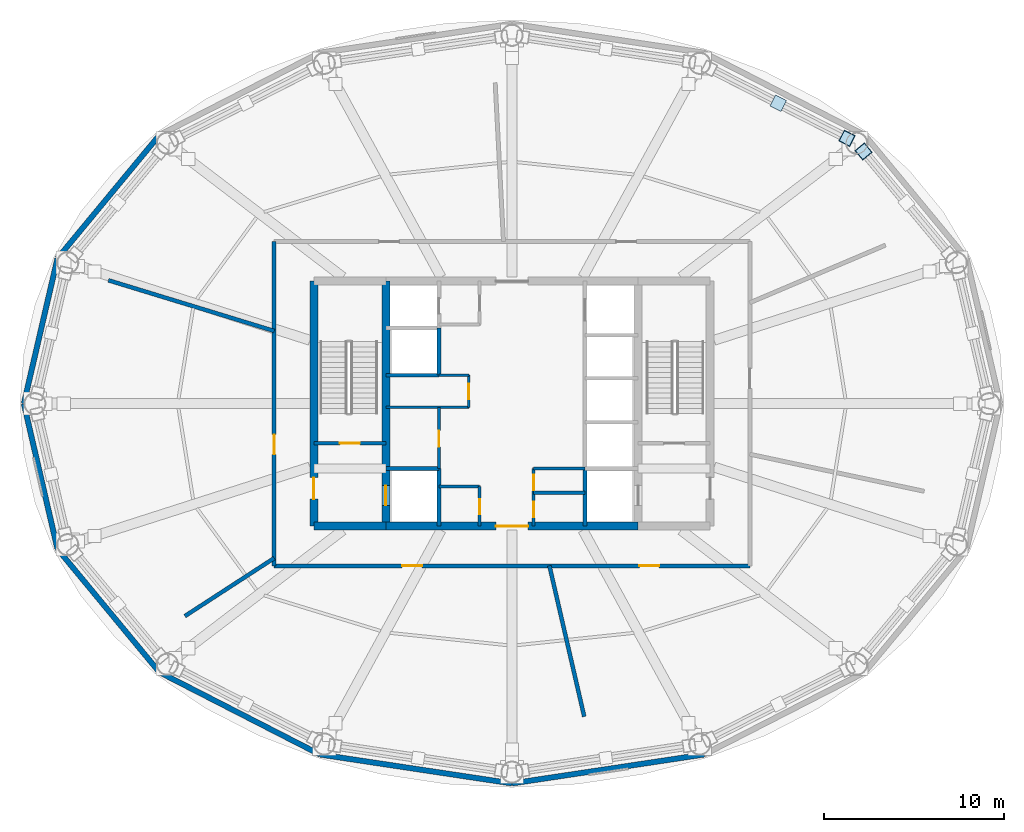
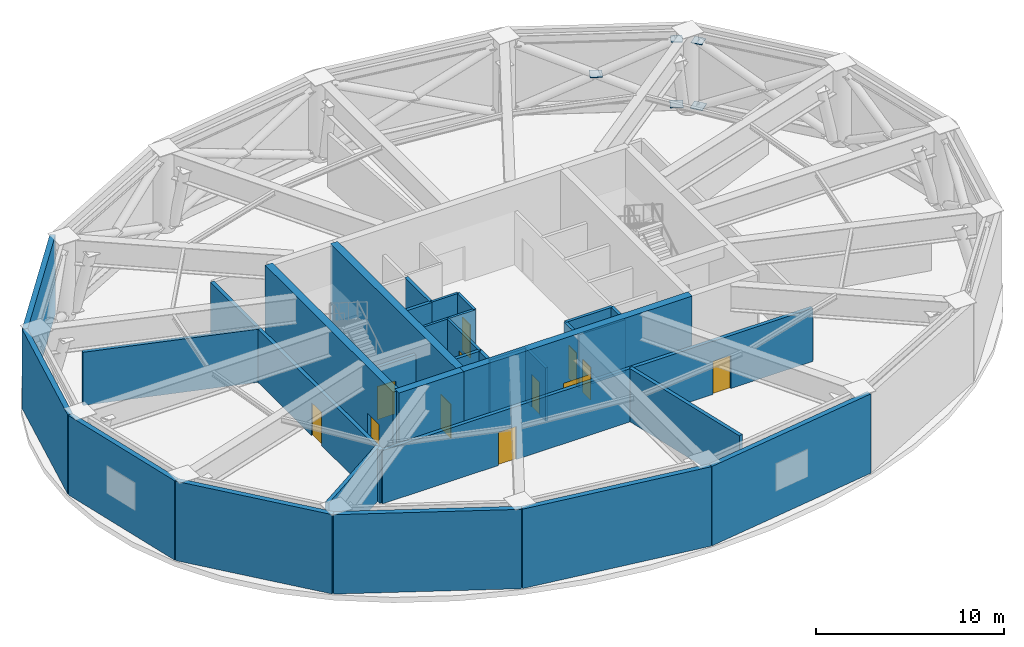
# One storey, part 5 of 8: 31 walls, 12 doors, 5 plates, 12 openings.
"""IFC4 building model written with IfcOpenShell, lengths in metres."""

from ifc_helpers import new_model, si_unit, direction, frame, frame_2d, origin, origin_2d, place, context, subcontext, project, spatial, rectangle, extrude, material, layer, layer_set, type_object, element, fill, save


model = new_model("IFC4")

# Units and contexts
model_context = context("Model", 3, precision=1e-05, world=origin(), true_north=direction((0.0, 1.0)))
body_context = subcontext(model_context, "Body", "Model", "MODEL_VIEW")
ifc_project = project(units=[si_unit("LENGTHUNIT", "METRE"), si_unit("AREAUNIT", "SQUARE_METRE"), si_unit("VOLUMEUNIT", "CUBIC_METRE"), si_unit("PLANEANGLEUNIT", "RADIAN"), si_unit("MASSUNIT", "GRAM", prefix="KILO")], contexts=[model_context])

# Site, building, storey
site_placement = place(None, origin())
site = spatial("IfcSite", under=ifc_project, at=site_placement, CompositionType="ELEMENT")
building_placement = place(site_placement, origin())
building = spatial("IfcBuilding", under=site, at=building_placement, Name="Sarneth Arch Tower", CompositionType="ELEMENT")
storey_placement = place(building_placement, frame((0.0, 0.0, 201.0)))
storey = spatial("IfcBuildingStorey", under=building, at=storey_placement, Name="L51", CompositionType="ELEMENT", Elevation=201.0)

# Plates
ifc_material_1 = material(Name="Steel S355", Category="steel")
ifc_layer_1 = layer(ifc_material_1, 0.035888671875)
ifc_layer_set_1 = layer_set([ifc_layer_1], Name="Steel S355")
plate_type = type_object("IfcPlateType", Name="PLT-GUSSET-30", PredefinedType="SHEET", material=ifc_layer_set_1)
plate_1_placement = place(storey_placement, frame((67.517822265625, 55.99951171875, 0.33203125), z_axis=(0.0, 0.0, 1.0), x_axis=(-0.640109699485, 0.768283523594, 0.0)))
element("IfcPlate", 1, at=plate_1_placement, inside=storey, type_object=plate_type, Name="Steel end cap plate GP-1", PredefinedType="SHEET", context=body_context, shape_type="SweptSolid", body=[
    extrude(rectangle(XDim=0.699951171875, YDim=0.699951171875, at=origin_2d()), origin(), (0.0, 0.0, 1.0), 0.035888671875),
])
plate_2_placement = place(storey_placement, frame((67.517822265625, 55.99951171875, 4.56298828125), z_axis=(0.0, 0.0, 1.0), x_axis=(-0.640109699485, 0.768283523594, 0.0)))
element("IfcPlate", 2, at=plate_2_placement, inside=storey, type_object=plate_type, Name="Steel end cap plate GP-1", PredefinedType="SHEET", context=body_context, shape_type="SweptSolid", body=[
    extrude(rectangle(XDim=0.6298828125, YDim=0.6298828125, at=origin_2d()), origin(), (0.0, 0.0, 1.0), 0.035888671875),
])
plate_3_placement = place(storey_placement, frame((62.77783203125, 58.6767578125, 2.44775390625), z_axis=(0.0, 0.0, 1.0), x_axis=(-0.89124411091, 0.453523907604, 0.0)))
element("IfcPlate", 3, at=plate_3_placement, inside=storey, type_object=plate_type, Name="Steel end cap plate GP-1", PredefinedType="SHEET", context=body_context, shape_type="SweptSolid", body=[
    extrude(rectangle(XDim=0.679931640625, YDim=0.679931640625, at=origin_2d()), origin(), (0.0, 0.0, 1.0), 0.035888671875),
])
plate_4_placement = place(storey_placement, frame((66.59912109375, 56.732421875, 0.33203125), z_axis=(0.0, 0.0, 1.0), x_axis=(0.89124411091, -0.453523907604, 0.0)))
element("IfcPlate", 4, at=plate_4_placement, inside=storey, type_object=plate_type, Name="Steel end cap plate GP-1", PredefinedType="SHEET", context=body_context, shape_type="SweptSolid", body=[
    extrude(rectangle(XDim=0.699951171875, YDim=0.699951171875, at=origin_2d()), origin(), (0.0, 0.0, 1.0), 0.035888671875),
])
plate_5_placement = place(storey_placement, frame((66.59912109375, 56.732421875, 4.56298828125), z_axis=(0.0, 0.0, 1.0), x_axis=(0.89124411091, -0.453523907604, 0.0)))
element("IfcPlate", 5, at=plate_5_placement, inside=storey, type_object=plate_type, Name="Steel end cap plate GP-1", PredefinedType="SHEET", context=body_context, shape_type="SweptSolid", body=[
    extrude(rectangle(XDim=0.6298828125, YDim=0.6298828125, at=origin_2d()), origin(), (0.0, 0.0, 1.0), 0.035888671875),
])

# Wall
ifc_material_2 = material(Name="Concrete C50/60", Category="concrete")
ifc_layer_2 = layer(ifc_material_2, 0.449951171875)
ifc_layer_set_2 = layer_set([ifc_layer_2], Name="Concrete C50/60")
wall_type_1 = type_object("IfcWallType", Name="WALL-CORE-450", PredefinedType="SHEAR", material=ifc_layer_set_2)
wall_1_placement = place(storey_placement, frame((37.0, 35.199951171875, 0.0), z_axis=(0.0, 0.0, 1.0), x_axis=(1.0, 0.0, 0.0)))
element("IfcWall", 6, at=wall_1_placement, inside=storey, type_object=wall_type_1, Name="L51 Core shear wall S-W", PredefinedType="SHEAR", context=body_context, shape_type="SweptSolid", body=[
    extrude(rectangle(XDim=4.0, YDim=0.449951171875, at=frame_2d((2.0, 0.0))), origin(), (0.0, 0.0, 1.0), 5.14990234375),
])

# Wall, opening, door
wall_2_placement = place(storey_placement, frame((41.0, 35.199951171875, 0.0), z_axis=(0.0, 0.0, 1.0), x_axis=(1.0, 0.0, 0.0)))
wall_2 = element("IfcWall", 7, at=wall_2_placement, inside=storey, type_object=wall_type_1, Name="L51 Core shear wall S-M", PredefinedType="SHEAR", context=body_context, shape_type="SweptSolid", body=[
    extrude(rectangle(XDim=14.0, YDim=0.449951171875, at=frame_2d((7.0, 0.0))), origin(), (0.0, 0.0, 1.0), 5.14990234375),
])
opening_1_placement = place(wall_2_placement, frame((6.10009765625, 0.0, 0.0)))
opening_1 = element("IfcOpeningElement", 8, at=opening_1_placement, cuts=wall_2, Name="Opening FD-01", PredefinedType="OPENING", context=body_context, shape_type="SweptSolid", body=[
    extrude(rectangle(XDim=1.800048828125, YDim=2.25, at=frame_2d((0.89990234375, 1.125))), frame((0.0, 0.23486328125, 0.0), z_axis=(0.0, -1.0, 0.0), x_axis=(1.0, 0.0, 0.0)), (0.0, 0.0, 1.0), 0.469970703125),
])
ifc_material_3 = material(Name="Galvanised Steel S275 fire door set", Category="steel")
door_type_1 = type_object("IfcDoorType", Name="DR-FD90-1800", OperationType="DOUBLE_DOOR_SINGLE_SWING", PredefinedType="DOOR", material=ifc_material_3)
door_1_placement = place(opening_1_placement, origin())
door_1 = element("IfcDoor", 9, at=door_1_placement, inside=storey, type_object=door_type_1, Name="L51 Central lift lobby south door", OperationType="DOUBLE_DOOR_SINGLE_SWING", OverallHeight=2.25, OverallWidth=1.800048828125, PredefinedType="DOOR", context=body_context, shape_type="SweptSolid", body=[
    extrude(rectangle(XDim=1.800048828125, YDim=2.25, at=frame_2d((0.89990234375, 1.125))), frame((0.0, 0.02490234375, 0.0), z_axis=(0.0, -1.0, 0.0), x_axis=(1.0, 0.0, 0.0)), (0.0, 0.0, 1.0), 0.050048828125),
])
fill(opening_1, door_1)

wall_3_placement = place(storey_placement, frame((37.0, 35.199951171875, 0.0), z_axis=(0.0, 0.0, 1.0), x_axis=(0.0, 1.0, 0.0)))
wall_3 = element("IfcWall", 10, at=wall_3_placement, inside=storey, type_object=wall_type_1, Name="L51 Core shear wall W", PredefinedType="SHEAR", context=body_context, shape_type="SweptSolid", body=[
    extrude(rectangle(XDim=13.60009765625, YDim=0.449951171875, at=frame_2d((6.800048828125, 0.0))), origin(), (0.0, 0.0, 1.0), 5.14990234375),
])
opening_2_placement = place(wall_3_placement, frame((1.5, 0.0, 0.0)))
opening_2 = element("IfcOpeningElement", 11, at=opening_2_placement, cuts=wall_3, Name="Opening FD-02", PredefinedType="OPENING", context=body_context, shape_type="SweptSolid", body=[
    extrude(rectangle(XDim=1.199951171875, YDim=2.14990234375, at=frame_2d((0.60009765625, 1.074951171875))), frame((0.0, 0.23486328125, 0.0), z_axis=(0.0, -1.0, 0.0), x_axis=(1.0, 0.0, 0.0)), (0.0, 0.0, 1.0), 0.469970703125),
])
ifc_material_4 = material(Name="Galvanised Steel S275 fire door set", Category="steel")
door_type_2 = type_object("IfcDoorType", Name="DR-FD90-1200", OperationType="SINGLE_SWING_LEFT", PredefinedType="DOOR", material=ifc_material_4)
door_2_placement = place(opening_2_placement, origin())
door_2 = element("IfcDoor", 12, at=door_2_placement, inside=storey, type_object=door_type_2, Name="L51 Firefighting lobby 1 exit door", OperationType="SINGLE_SWING_LEFT", OverallHeight=2.14990234375, OverallWidth=1.199951171875, PredefinedType="DOOR", context=body_context, shape_type="SweptSolid", body=[
    extrude(rectangle(XDim=1.199951171875, YDim=2.14990234375, at=frame_2d((0.60009765625, 1.074951171875))), frame((0.0, 0.02490234375, 0.0), z_axis=(0.0, -1.0, 0.0), x_axis=(1.0, 0.0, 0.0)), (0.0, 0.0, 1.0), 0.050048828125),
])
fill(opening_2, door_2)

wall_4_placement = place(storey_placement, frame((41.0, 35.199951171875, 0.0), z_axis=(0.0, 0.0, 1.0), x_axis=(0.0, 1.0, 0.0)))
wall_4 = element("IfcWall", 13, at=wall_4_placement, inside=storey, type_object=wall_type_1, Name="L51 Core shear wall WEB-W", PredefinedType="SHEAR", context=body_context, shape_type="SweptSolid", body=[
    extrude(rectangle(XDim=13.60009765625, YDim=0.449951171875, at=frame_2d((6.800048828125, 0.0))), origin(), (0.0, 0.0, 1.0), 5.14990234375),
])
opening_3_placement = place(wall_4_placement, frame((1.14990234375, 0.0, 0.0)))
opening_3 = element("IfcOpeningElement", 14, at=opening_3_placement, cuts=wall_4, Name="Opening LD-1", PredefinedType="OPENING", context=body_context, shape_type="SweptSolid", body=[
    extrude(rectangle(XDim=1.10009765625, YDim=2.199951171875, at=frame_2d((0.550048828125, 1.10009765625))), frame((0.0, 0.23486328125, 0.0), z_axis=(0.0, -1.0, 0.0), x_axis=(1.0, 0.0, 0.0)), (0.0, 0.0, 1.0), 0.469970703125),
])
ifc_material_5 = material(Name="Brushed Stainless Steel 304 lift landing door", Category="steel")
door_type_3 = type_object("IfcDoorType", Name="DR-LIFT-SLIDE-1100", OperationType="SLIDING_TO_LEFT", PredefinedType="DOOR", material=ifc_material_5)
door_3_placement = place(opening_3_placement, origin())
door_3 = element("IfcDoor", 15, at=door_3_placement, inside=storey, type_object=door_type_3, Name="L51 Firefighting lift landing door FL-1", OperationType="SLIDING_TO_LEFT", OverallHeight=2.199951171875, OverallWidth=1.10009765625, PredefinedType="DOOR", context=body_context, shape_type="SweptSolid", body=[
    extrude(rectangle(XDim=1.10009765625, YDim=2.199951171875, at=frame_2d((0.550048828125, 1.10009765625))), frame((0.0, 0.02490234375, 0.0), z_axis=(0.0, -1.0, 0.0), x_axis=(1.0, 0.0, 0.0)), (0.0, 0.0, 1.0), 0.050048828125),
])
fill(opening_3, door_3)

# Walls
ifc_material_6 = material(Name="Extruded terracotta rainscreen on Concrete C40/50 backing", Category="masonry")
ifc_layer_3 = layer(ifc_material_6, 0.300048828125)
ifc_layer_set_3 = layer_set([ifc_layer_3], Name="Extruded terracotta rainscreen on Concrete C40/50 backing")
wall_type_2 = type_object("IfcWallType", Name="WALL-EXT-ACOUST-300", PredefinedType="SOLIDWALL", material=ifc_layer_set_3)
wall_5_placement = place(storey_placement, frame((28.423828125, 56.90576171875, 0.0), z_axis=(0.0, 0.0, 1.0), x_axis=(-0.637333477683, -0.770588111915, 0.0)))
element("IfcWall", 16, at=wall_5_placement, inside=storey, type_object=wall_type_2, Name="L51 Terracotta perimeter wall 07", PredefinedType="SOLIDWALL", context=body_context, shape_type="SweptSolid", body=[
    extrude(rectangle(XDim=8.874755859375, YDim=0.300048828125, at=frame_2d((4.4375, 0.0))), origin(), (0.0, 0.0, 1.0), 5.14990234375),
])
for number, where, z_axis, x_axis, name in (
    (17, (22.767578125, 50.06689453125, 0.0), (0.0, 0.0, 1.0), (-0.225473184558, -0.974249374157, 0.0), "L51 Terracotta perimeter wall 08"),
    (18, (20.900634765625, 42.0, 0.0), (0.0, 0.0, 1.0), (0.225473184558, -0.974249374157, 0.0), "L51 Terracotta perimeter wall 09"),
):
    element("IfcWall", number, at=place(storey_placement, frame(where, z_axis=z_axis, x_axis=x_axis)), inside=storey, type_object=wall_type_2, Name=name, PredefinedType="SOLIDWALL", context=body_context, shape_type="SweptSolid", body=[
        extrude(rectangle(XDim=8.280029296875, YDim=0.300048828125, at=frame_2d((4.14013671875, 0.0))), origin(), (0.0, 0.0, 1.0), 5.14990234375),
    ])
wall_6_placement = place(storey_placement, frame((22.767578125, 33.93310546875, 0.0), z_axis=(0.0, 0.0, 1.0), x_axis=(0.637333477683, -0.770588111915, 0.0)))
element("IfcWall", 19, at=wall_6_placement, inside=storey, type_object=wall_type_2, Name="L51 Terracotta perimeter wall 10", PredefinedType="SOLIDWALL", context=body_context, shape_type="SweptSolid", body=[
    extrude(rectangle(XDim=8.874755859375, YDim=0.300048828125, at=frame_2d((4.4375, 0.0))), origin(), (0.0, 0.0, 1.0), 5.14990234375),
])
wall_7_placement = place(storey_placement, frame((28.423828125, 27.09423828125, 0.0), z_axis=(0.0, 0.0, 1.0), x_axis=(0.889872523182, -0.456209263919, 0.0)))
element("IfcWall", 20, at=wall_7_placement, inside=storey, type_object=wall_type_2, Name="L51 Terracotta perimeter wall 11", PredefinedType="SOLIDWALL", context=body_context, shape_type="SweptSolid", body=[
    extrude(rectangle(XDim=10.016357421875, YDim=0.300048828125, at=frame_2d((5.00830078125, 0.0))), origin(), (0.0, 0.0, 1.0), 5.14990234375),
])
for number, where, z_axis, x_axis, name in (
    (21, (37.337158203125, 22.524658203125, 0.0), (0.0, 0.0, 1.0), (0.988863993413, -0.148822049884, 0.0), "L51 Terracotta perimeter wall 12"),
    (22, (48.0, 20.919921875, 0.0), (0.0, 0.0, 1.0), (0.988863993413, 0.148822049884, 0.0), "L51 Terracotta perimeter wall 13"),
):
    element("IfcWall", number, at=place(storey_placement, frame(where, z_axis=z_axis, x_axis=x_axis)), inside=storey, type_object=wall_type_2, Name=name, PredefinedType="SOLIDWALL", context=body_context, shape_type="SweptSolid", body=[
        extrude(rectangle(XDim=10.782958984375, YDim=0.300048828125, at=frame_2d((5.3916015625, 0.0))), origin(), (0.0, 0.0, 1.0), 5.14990234375),
    ])

# Wall, openings, doors
ifc_material_7 = material(Name="Aerated concrete blockwork C25/30", Category="masonry")
ifc_layer_4 = layer(ifc_material_7, 0.219970703125)
ifc_layer_set_4 = layer_set([ifc_layer_4], Name="Aerated concrete blockwork C25/30")
wall_type_3 = type_object("IfcWallType", Name="WALL-FIRE-220", PredefinedType="SOLIDWALL", material=ifc_layer_set_4)
wall_8_placement = place(storey_placement, frame((61.199951171875, 33.0, 0.0), z_axis=(0.0, 0.0, 1.0), x_axis=(-1.0, 0.0, 0.0)))
wall_8 = element("IfcWall", 23, at=wall_8_placement, inside=storey, type_object=wall_type_3, Name="L51 Interior partition W-L51-TP-006", PredefinedType="SOLIDWALL", context=body_context, shape_type="SweptSolid", body=[
    extrude(rectangle(XDim=26.39990234375, YDim=0.219970703125, at=frame_2d((13.199951171875, 0.0))), origin(), (0.0, 0.0, 1.0), 3.449951171875),
])
opening_4_placement = place(wall_8_placement, frame((18.194580078125, 0.0, 0.0)))
opening_4 = element("IfcOpeningElement", 24, at=opening_4_placement, cuts=wall_8, Name="Opening FD-03", PredefinedType="OPENING", context=body_context, shape_type="SweptSolid", body=[
    extrude(rectangle(XDim=1.10009765625, YDim=2.14990234375, at=frame_2d((0.550048828125, 1.074951171875))), frame((0.0, 0.119873046875, 0.0), z_axis=(0.0, -1.0, 0.0), x_axis=(1.0, 0.0, 0.0)), (0.0, 0.0, 1.0), 0.239990234375),
])
opening_5_placement = place(wall_8_placement, frame((5.027587890625, 0.0, 0.0)))
opening_5 = element("IfcOpeningElement", 25, at=opening_5_placement, cuts=wall_8, Name="Opening FD-03", PredefinedType="OPENING", context=body_context, shape_type="SweptSolid", body=[
    extrude(rectangle(XDim=1.10009765625, YDim=2.14990234375, at=frame_2d((0.550048828125, 1.074951171875))), frame((0.0, 0.119873046875, 0.0), z_axis=(0.0, -1.0, 0.0), x_axis=(1.0, 0.0, 0.0)), (0.0, 0.0, 1.0), 0.239990234375),
])
ifc_material_8 = material(Name="Galvanised Steel S275 fire door set", Category="steel")
door_type_4 = type_object("IfcDoorType", Name="DR-FD90-1100", OperationType="SINGLE_SWING_LEFT", PredefinedType="DOOR", material=ifc_material_8)
door_4_placement = place(opening_4_placement, origin())
door_4 = element("IfcDoor", 26, at=door_4_placement, inside=storey, type_object=door_type_4, Name="L51 Interior door DR-L51-PSEC-4", OperationType="SINGLE_SWING_RIGHT", OverallHeight=2.14990234375, OverallWidth=1.10009765625, PredefinedType="DOOR", context=body_context, shape_type="SweptSolid", body=[
    extrude(rectangle(XDim=1.10009765625, YDim=2.14990234375, at=frame_2d((0.550048828125, 1.074951171875))), frame((0.0, 0.02490234375, 0.0), z_axis=(0.0, -1.0, 0.0), x_axis=(1.0, 0.0, 0.0)), (0.0, 0.0, 1.0), 0.050048828125),
])
fill(opening_4, door_4)
door_5_placement = place(opening_5_placement, origin())
door_5 = element("IfcDoor", 27, at=door_5_placement, inside=storey, type_object=door_type_4, Name="L51 Interior door DR-L51-PSEC-5", OperationType="SINGLE_SWING_RIGHT", OverallHeight=2.14990234375, OverallWidth=1.10009765625, PredefinedType="DOOR", context=body_context, shape_type="SweptSolid", body=[
    extrude(rectangle(XDim=1.10009765625, YDim=2.14990234375, at=frame_2d((0.550048828125, 1.074951171875))), frame((0.0, 0.02490234375, 0.0), z_axis=(0.0, -1.0, 0.0), x_axis=(1.0, 0.0, 0.0)), (0.0, 0.0, 1.0), 0.050048828125),
])
fill(opening_5, door_5)

# Wall, opening, door
wall_9_placement = place(storey_placement, frame((34.800048828125, 33.0, 0.0), z_axis=(0.0, 0.0, 1.0), x_axis=(0.0, 1.0, 0.0)))
wall_9 = element("IfcWall", 28, at=wall_9_placement, inside=storey, type_object=wall_type_3, Name="L51 Interior partition W-L51-TP-005", PredefinedType="SOLIDWALL", context=body_context, shape_type="SweptSolid", body=[
    extrude(rectangle(XDim=18.0, YDim=0.219970703125, at=frame_2d((9.0, 0.0))), origin(), (0.0, 0.0, 1.0), 3.449951171875),
])
opening_6_placement = place(wall_9_placement, frame((6.17919921875, 0.0, 0.0)))
opening_6 = element("IfcOpeningElement", 29, at=opening_6_placement, cuts=wall_9, Name="Opening FD-03", PredefinedType="OPENING", context=body_context, shape_type="SweptSolid", body=[
    extrude(rectangle(XDim=1.10009765625, YDim=2.14990234375, at=frame_2d((0.550048828125, 1.074951171875))), frame((0.0, 0.119873046875, 0.0), z_axis=(0.0, -1.0, 0.0), x_axis=(1.0, 0.0, 0.0)), (0.0, 0.0, 1.0), 0.239990234375),
])
door_6_placement = place(opening_6_placement, origin())
door_6 = element("IfcDoor", 30, at=door_6_placement, inside=storey, type_object=door_type_4, Name="L51 Interior door DR-L51-PSEC-3", OperationType="SINGLE_SWING_LEFT", OverallHeight=2.14990234375, OverallWidth=1.10009765625, PredefinedType="DOOR", context=body_context, shape_type="SweptSolid", body=[
    extrude(rectangle(XDim=1.10009765625, YDim=2.14990234375, at=frame_2d((0.550048828125, 1.074951171875))), frame((0.0, 0.02490234375, 0.0), z_axis=(0.0, -1.0, 0.0), x_axis=(1.0, 0.0, 0.0)), (0.0, 0.0, 1.0), 0.050048828125),
])
fill(opening_6, door_6)

# Walls
wall_10_placement = place(storey_placement, frame((34.800048828125, 46.03564453125, 0.0), z_axis=(0.0, 0.0, 1.0), x_axis=(-0.956307255346, 0.292363529485, 0.0)))
element("IfcWall", 31, at=wall_10_placement, inside=storey, type_object=wall_type_3, Name="L51 Interior partition W-L51-TP-013", PredefinedType="SOLIDWALL", context=body_context, shape_type="SweptSolid", body=[
    extrude(rectangle(XDim=9.625, YDim=0.219970703125, at=frame_2d((4.8125, 0.0))), origin(), (0.0, 0.0, 1.0), 3.449951171875),
])
wall_11_placement = place(storey_placement, frame((50.077880859375, 33.0, 0.0), z_axis=(0.0, 0.0, 1.0), x_axis=(0.224950824014, -0.974370117961, 0.0)))
element("IfcWall", 32, at=wall_11_placement, inside=storey, type_object=wall_type_3, Name="L51 Interior partition W-L51-TP-015", PredefinedType="SOLIDWALL", context=body_context, shape_type="SweptSolid", body=[
    extrude(rectangle(XDim=8.59130859375, YDim=0.219970703125, at=frame_2d((4.295654296875, 0.0))), origin(), (0.0, 0.0, 1.0), 3.449951171875),
])
wall_12_placement = place(storey_placement, frame((34.800048828125, 33.427734375, 0.0), z_axis=(0.0, 0.0, 1.0), x_axis=(-0.838670079977, -0.54463978642, 0.0)))
element("IfcWall", 33, at=wall_12_placement, inside=storey, type_object=wall_type_3, Name="L51 Interior partition W-L51-TP-014", PredefinedType="SOLIDWALL", context=body_context, shape_type="SweptSolid", body=[
    extrude(rectangle(XDim=5.909423828125, YDim=0.219970703125, at=frame_2d((2.95458984375, 0.0))), origin(), (0.0, 0.0, 1.0), 3.449951171875),
])

# Wall, opening, door
ifc_material_9 = material(Name="Acoustic gypsum stud partition", Category="gypsum")
ifc_layer_5 = layer(ifc_material_9, 0.14990234375)
ifc_layer_set_5 = layer_set([ifc_layer_5], Name="Acoustic gypsum stud partition")
wall_type_4 = type_object("IfcWallType", Name="WALL-PART-150", PredefinedType="PARTITIONING", material=ifc_layer_set_5)
wall_13_placement = place(storey_placement, frame((43.949951171875, 38.39990234375, 0.0), z_axis=(0.0, 0.0, 1.0), x_axis=(0.0, 1.0, 0.0)))
wall_13 = element("IfcWall", 34, at=wall_13_placement, inside=storey, type_object=wall_type_4, Name="L51 Interior partition W-L51-RECPL-E1", PredefinedType="PARTITIONING", context=body_context, shape_type="SweptSolid", body=[
    extrude(rectangle(XDim=3.400146484375, YDim=0.14990234375, at=frame_2d((1.7001953125, 0.0))), origin(), (0.0, 0.0, 1.0), 3.449951171875),
])
opening_7_placement = place(wall_13_placement, frame((1.199951171875, 0.0, 0.0)))
opening_7 = element("IfcOpeningElement", 35, at=opening_7_placement, cuts=wall_13, Name="Opening FD-10", PredefinedType="OPENING", context=body_context, shape_type="SweptSolid", body=[
    extrude(rectangle(XDim=0.89990234375, YDim=2.14990234375, at=frame_2d((0.449951171875, 1.074951171875))), frame((0.0, 0.0849609375, 0.0), z_axis=(0.0, -1.0, 0.0), x_axis=(1.0, 0.0, 0.0)), (0.0, 0.0, 1.0), 0.169921875),
])
ifc_material_10 = material(Name="Galvanised Steel S275 riser/service fire door", Category="steel")
door_type_5 = type_object("IfcDoorType", Name="DR-FD60-900", OperationType="SINGLE_SWING_LEFT", PredefinedType="DOOR", material=ifc_material_10)
door_7_placement = place(opening_7_placement, origin())
door_7 = element("IfcDoor", 36, at=door_7_placement, inside=storey, type_object=door_type_5, Name="L51 Interior door DR-L51-RECPL1", OperationType="SINGLE_SWING_LEFT", OverallHeight=2.14990234375, OverallWidth=0.89990234375, PredefinedType="DOOR", context=body_context, shape_type="SweptSolid", body=[
    extrude(rectangle(XDim=0.89990234375, YDim=2.14990234375, at=frame_2d((0.449951171875, 1.074951171875))), frame((0.0, 0.02490234375, 0.0), z_axis=(0.0, -1.0, 0.0), x_axis=(1.0, 0.0, 0.0)), (0.0, 0.0, 1.0), 0.050048828125),
])
fill(opening_7, door_7)

# Walls
wall_14_placement = place(storey_placement, frame((41.0, 41.800048828125, 0.0), z_axis=(0.0, 0.0, 1.0), x_axis=(1.0, 0.0, 0.0)))
element("IfcWall", 37, at=wall_14_placement, inside=storey, type_object=wall_type_4, Name="L51 Interior partition W-L51-RECPL-S2", PredefinedType="PARTITIONING", context=body_context, shape_type="SweptSolid", body=[
    extrude(rectangle(XDim=4.60009765625, YDim=0.14990234375, at=frame_2d((2.300048828125, 0.0))), origin(), (0.0, 0.0, 1.0), 3.449951171875),
])
wall_15_placement = place(storey_placement, frame((43.949951171875, 43.580078125, 0.0), z_axis=(0.0, 0.0, 1.0), x_axis=(1.0, 0.0, 0.0)))
element("IfcWall", 38, at=wall_15_placement, inside=storey, type_object=wall_type_4, Name="L51 Interior partition W-L51-RECPL-N2", PredefinedType="PARTITIONING", context=body_context, shape_type="SweptSolid", body=[
    extrude(rectangle(XDim=1.650146484375, YDim=0.14990234375, at=frame_2d((0.8251953125, 0.0))), origin(), (0.0, 0.0, 1.0), 3.449951171875),
])

# Wall, opening, door
wall_16_placement = place(storey_placement, frame((45.60009765625, 41.800048828125, 0.0), z_axis=(0.0, 0.0, 1.0), x_axis=(0.0, 1.0, 0.0)))
wall_16 = element("IfcWall", 39, at=wall_16_placement, inside=storey, type_object=wall_type_4, Name="L51 Interior partition W-L51-RECPL-E2", PredefinedType="PARTITIONING", context=body_context, shape_type="SweptSolid", body=[
    extrude(rectangle(XDim=1.780029296875, YDim=0.14990234375, at=frame_2d((0.89013671875, 0.0))), origin(), (0.0, 0.0, 1.0), 3.449951171875),
])
opening_8_placement = place(wall_16_placement, frame((0.449951171875, 0.0, 0.0)))
opening_8 = element("IfcOpeningElement", 40, at=opening_8_placement, cuts=wall_16, Name="Opening FD-11", PredefinedType="OPENING", context=body_context, shape_type="SweptSolid", body=[
    extrude(rectangle(XDim=0.85009765625, YDim=2.14990234375, at=frame_2d((0.425048828125, 1.074951171875))), frame((0.0, 0.0849609375, 0.0), z_axis=(0.0, -1.0, 0.0), x_axis=(1.0, 0.0, 0.0)), (0.0, 0.0, 1.0), 0.169921875),
])
ifc_material_11 = material(Name="Galvanised Steel S275 closet fire door", Category="steel")
door_type_6 = type_object("IfcDoorType", Name="DR-FD60-850", OperationType="SINGLE_SWING_LEFT", PredefinedType="DOOR", material=ifc_material_11)
door_8_placement = place(opening_8_placement, origin())
door_8 = element("IfcDoor", 41, at=door_8_placement, inside=storey, type_object=door_type_6, Name="L51 Interior door DR-L51-RECPL2", OperationType="SINGLE_SWING_RIGHT", OverallHeight=2.14990234375, OverallWidth=0.85009765625, PredefinedType="DOOR", context=body_context, shape_type="SweptSolid", body=[
    extrude(rectangle(XDim=0.85009765625, YDim=2.14990234375, at=frame_2d((0.425048828125, 1.074951171875))), frame((0.0, 0.02490234375, 0.0), z_axis=(0.0, -1.0, 0.0), x_axis=(1.0, 0.0, 0.0)), (0.0, 0.0, 1.0), 0.050048828125),
])
fill(opening_8, door_8)

# Wall
wall_17_placement = place(storey_placement, frame((43.949951171875, 37.39990234375, 0.0), z_axis=(0.0, 0.0, 1.0), x_axis=(1.0, 0.0, 0.0)))
element("IfcWall", 42, at=wall_17_placement, inside=storey, type_object=wall_type_4, Name="L51 Interior partition W-L51-CSUP1-N", PredefinedType="PARTITIONING", context=body_context, shape_type="SweptSolid", body=[
    extrude(rectangle(XDim=2.25, YDim=0.14990234375, at=frame_2d((1.125, 0.0))), origin(), (0.0, 0.0, 1.0), 3.449951171875),
])

# Wall, opening, door
wall_18_placement = place(storey_placement, frame((46.199951171875, 35.199951171875, 0.0), z_axis=(0.0, 0.0, 1.0), x_axis=(0.0, 1.0, 0.0)))
wall_18 = element("IfcWall", 43, at=wall_18_placement, inside=storey, type_object=wall_type_4, Name="L51 Interior partition W-L51-CSUP1-E", PredefinedType="PARTITIONING", context=body_context, shape_type="SweptSolid", body=[
    extrude(rectangle(XDim=2.199951171875, YDim=0.14990234375, at=frame_2d((1.10009765625, 0.0))), origin(), (0.0, 0.0, 1.0), 3.449951171875),
])
opening_9_placement = place(wall_18_placement, frame((0.64990234375, 0.0, 0.0)))
opening_9 = element("IfcOpeningElement", 44, at=opening_9_placement, cuts=wall_18, Name="Opening FD-11", PredefinedType="OPENING", context=body_context, shape_type="SweptSolid", body=[
    extrude(rectangle(XDim=0.85009765625, YDim=2.14990234375, at=frame_2d((0.425048828125, 1.074951171875))), frame((0.0, 0.0849609375, 0.0), z_axis=(0.0, -1.0, 0.0), x_axis=(1.0, 0.0, 0.0)), (0.0, 0.0, 1.0), 0.169921875),
])
door_9_placement = place(opening_9_placement, origin())
door_9 = element("IfcDoor", 45, at=door_9_placement, inside=storey, type_object=door_type_6, Name="L51 Interior door DR-L51-CSUP1", OperationType="SINGLE_SWING_LEFT", OverallHeight=2.14990234375, OverallWidth=0.85009765625, PredefinedType="DOOR", context=body_context, shape_type="SweptSolid", body=[
    extrude(rectangle(XDim=0.85009765625, YDim=2.14990234375, at=frame_2d((0.425048828125, 1.074951171875))), frame((0.0, 0.02490234375, 0.0), z_axis=(0.0, -1.0, 0.0), x_axis=(1.0, 0.0, 0.0)), (0.0, 0.0, 1.0), 0.050048828125),
])
fill(opening_9, door_9)

# Walls
ifc_material_12 = material(Name="Moisture-resistant plumbing chase wall", Category="gypsum")
ifc_layer_6 = layer(ifc_material_12, 0.179931640625)
ifc_layer_set_6 = layer_set([ifc_layer_6], Name="Moisture-resistant plumbing chase wall")
wall_type_5 = type_object("IfcWallType", Name="WALL-PLUMB-180", PredefinedType="PLUMBINGWALL", material=ifc_layer_set_6)
for number, where, z_axis, x_axis, name in (
    (46, (49.199951171875, 37.050048828125, 0.0), (0.0, 0.0, 1.0), (1.0, 0.0, 0.0), "L51 Interior partition W-L51-AWC-M"),
    (47, (49.199951171875, 38.39990234375, 0.0), (0.0, 0.0, 1.0), (1.0, 0.0, 0.0), "L51 Interior partition W-L51-AWC-N"),
):
    element("IfcWall", number, at=place(storey_placement, frame(where, z_axis=z_axis, x_axis=x_axis)), inside=storey, type_object=wall_type_5, Name=name, PredefinedType="PLUMBINGWALL", context=body_context, shape_type="SweptSolid", body=[
        extrude(rectangle(XDim=2.85009765625, YDim=0.179931640625, at=frame_2d((1.425048828125, 0.0))), origin(), (0.0, 0.0, 1.0), 3.449951171875),
    ])

# Wall, openings, doors
wall_19_placement = place(storey_placement, frame((49.199951171875, 35.199951171875, 0.0), z_axis=(0.0, 0.0, 1.0), x_axis=(0.0, 1.0, 0.0)))
wall_19 = element("IfcWall", 48, at=wall_19_placement, inside=storey, type_object=wall_type_5, Name="L51 Interior partition W-L51-AWC-W", PredefinedType="PLUMBINGWALL", context=body_context, shape_type="SweptSolid", body=[
    extrude(rectangle(XDim=3.199951171875, YDim=0.179931640625, at=frame_2d((1.60009765625, 0.0))), origin(), (0.0, 0.0, 1.0), 3.449951171875),
])
opening_10_placement = place(wall_19_placement, frame((0.5, 0.0, 0.0)))
opening_10 = element("IfcOpeningElement", 49, at=opening_10_placement, cuts=wall_19, Name="Opening ID-02", PredefinedType="OPENING", context=body_context, shape_type="SweptSolid", body=[
    extrude(rectangle(XDim=0.85009765625, YDim=2.10009765625, at=frame_2d((0.425048828125, 1.050048828125))), frame((0.0, 0.099853515625, 0.0), z_axis=(0.0, -1.0, 0.0), x_axis=(1.0, 0.0, 0.0)), (0.0, 0.0, 1.0), 0.199951171875),
])
opening_11_placement = place(wall_19_placement, frame((2.0, 0.0, 0.0)))
opening_11 = element("IfcOpeningElement", 50, at=opening_11_placement, cuts=wall_19, Name="Opening FD-11", PredefinedType="OPENING", context=body_context, shape_type="SweptSolid", body=[
    extrude(rectangle(XDim=0.85009765625, YDim=2.14990234375, at=frame_2d((0.425048828125, 1.074951171875))), frame((0.0, 0.099853515625, 0.0), z_axis=(0.0, -1.0, 0.0), x_axis=(1.0, 0.0, 0.0)), (0.0, 0.0, 1.0), 0.199951171875),
])
door_10_placement = place(opening_11_placement, origin())
door_10 = element("IfcDoor", 51, at=door_10_placement, inside=storey, type_object=door_type_6, Name="L51 Interior door DR-L51-CSUP3", OperationType="SINGLE_SWING_LEFT", OverallHeight=2.14990234375, OverallWidth=0.85009765625, PredefinedType="DOOR", context=body_context, shape_type="SweptSolid", body=[
    extrude(rectangle(XDim=0.85009765625, YDim=2.14990234375, at=frame_2d((0.425048828125, 1.074951171875))), frame((0.0, 0.02490234375, 0.0), z_axis=(0.0, -1.0, 0.0), x_axis=(1.0, 0.0, 0.0)), (0.0, 0.0, 1.0), 0.050048828125),
])
fill(opening_11, door_10)
ifc_material_13 = material(Name="Moisture-resistant bathroom timber door", Category="wood")
door_type_7 = type_object("IfcDoorType", Name="DR-INT-850", OperationType="SINGLE_SWING_RIGHT", PredefinedType="DOOR", material=ifc_material_13)
door_11_placement = place(opening_10_placement, origin())
door_11 = element("IfcDoor", 52, at=door_11_placement, inside=storey, type_object=door_type_7, Name="L51 Interior door DR-L51-AWC", OperationType="SINGLE_SWING_RIGHT", OverallHeight=2.10009765625, OverallWidth=0.85009765625, PredefinedType="DOOR", context=body_context, shape_type="SweptSolid", body=[
    extrude(rectangle(XDim=0.85009765625, YDim=2.10009765625, at=frame_2d((0.425048828125, 1.050048828125))), frame((0.0, 0.02490234375, 0.0), z_axis=(0.0, -1.0, 0.0), x_axis=(1.0, 0.0, 0.0)), (0.0, 0.0, 1.0), 0.050048828125),
])
fill(opening_10, door_11)

# Wall, opening, door
ifc_material_14 = material(Name="Aerated concrete blockwork C25/30", Category="masonry")
ifc_layer_7 = layer(ifc_material_14, 0.199951171875)
ifc_layer_set_7 = layer_set([ifc_layer_7], Name="Aerated concrete blockwork C25/30")
wall_type_6 = type_object("IfcWallType", Name="WALL-SHAFT-200", PredefinedType="SOLIDWALL", material=ifc_layer_set_7)
wall_20_placement = place(storey_placement, frame((37.0, 39.800048828125, 0.0), z_axis=(0.0, 0.0, 1.0), x_axis=(1.0, 0.0, 0.0)))
wall_20 = element("IfcWall", 53, at=wall_20_placement, inside=storey, type_object=wall_type_6, Name="L51 Interior partition W-L51-ST1-S", PredefinedType="SOLIDWALL", context=body_context, shape_type="SweptSolid", body=[
    extrude(rectangle(XDim=4.0, YDim=0.199951171875, at=frame_2d((2.0, 0.0))), origin(), (0.0, 0.0, 1.0), 3.449951171875),
])
opening_12_placement = place(wall_20_placement, frame((1.449951171875, 0.0, 0.0)))
opening_12 = element("IfcOpeningElement", 54, at=opening_12_placement, cuts=wall_20, Name="Opening FD-03", PredefinedType="OPENING", context=body_context, shape_type="SweptSolid", body=[
    extrude(rectangle(XDim=1.10009765625, YDim=2.14990234375, at=frame_2d((0.550048828125, 1.074951171875))), frame((0.0, 0.10986328125, 0.0), z_axis=(0.0, -1.0, 0.0), x_axis=(1.0, 0.0, 0.0)), (0.0, 0.0, 1.0), 0.219970703125),
])
door_12_placement = place(opening_12_placement, origin())
door_12 = element("IfcDoor", 55, at=door_12_placement, inside=storey, type_object=door_type_4, Name="L51 Interior door DR-L51-ST1", OperationType="SINGLE_SWING_LEFT", OverallHeight=2.14990234375, OverallWidth=1.10009765625, PredefinedType="DOOR", context=body_context, shape_type="SweptSolid", body=[
    extrude(rectangle(XDim=1.10009765625, YDim=2.14990234375, at=frame_2d((0.550048828125, 1.074951171875))), frame((0.0, 0.02490234375, 0.0), z_axis=(0.0, -1.0, 0.0), x_axis=(1.0, 0.0, 0.0)), (0.0, 0.0, 1.0), 0.050048828125),
])
fill(opening_12, door_12)

# Walls
wall_21_placement = place(storey_placement, frame((43.949951171875, 35.199951171875, 0.0), z_axis=(0.0, 0.0, 1.0), x_axis=(0.0, 1.0, 0.0)))
element("IfcWall", 56, at=wall_21_placement, inside=storey, type_object=wall_type_6, Name="L51 Interior partition W-L51-FL1-E", PredefinedType="SOLIDWALL", context=body_context, shape_type="SweptSolid", body=[
    extrude(rectangle(XDim=3.199951171875, YDim=0.199951171875, at=frame_2d((1.60009765625, 0.0))), origin(), (0.0, 0.0, 1.0), 3.449951171875),
])
wall_22_placement = place(storey_placement, frame((41.0, 38.39990234375, 0.0), z_axis=(0.0, 0.0, 1.0), x_axis=(1.0, 0.0, 0.0)))
element("IfcWall", 57, at=wall_22_placement, inside=storey, type_object=wall_type_6, Name="L51 Interior partition W-L51-FL1-N", PredefinedType="SOLIDWALL", context=body_context, shape_type="SweptSolid", body=[
    extrude(rectangle(XDim=2.949951171875, YDim=0.199951171875, at=frame_2d((1.47509765625, 0.0))), origin(), (0.0, 0.0, 1.0), 3.449951171875),
])
wall_23_placement = place(storey_placement, frame((52.050048828125, 35.199951171875, 0.0), z_axis=(0.0, 0.0, 1.0), x_axis=(0.0, 1.0, 0.0)))
element("IfcWall", 58, at=wall_23_placement, inside=storey, type_object=wall_type_6, Name="L51 Interior partition W-L51-FL2-W", PredefinedType="SOLIDWALL", context=body_context, shape_type="SweptSolid", body=[
    extrude(rectangle(XDim=3.199951171875, YDim=0.199951171875, at=frame_2d((1.60009765625, 0.0))), origin(), (0.0, 0.0, 1.0), 3.449951171875),
])
wall_24_placement = place(storey_placement, frame((41.0, 43.580078125, 0.0), z_axis=(0.0, 0.0, 1.0), x_axis=(1.0, 0.0, 0.0)))
element("IfcWall", 59, at=wall_24_placement, inside=storey, type_object=wall_type_6, Name="L51 Interior partition W-L51-PM1-S", PredefinedType="SOLIDWALL", context=body_context, shape_type="SweptSolid", body=[
    extrude(rectangle(XDim=2.949951171875, YDim=0.199951171875, at=frame_2d((1.47509765625, 0.0))), origin(), (0.0, 0.0, 1.0), 3.449951171875),
])
wall_25_placement = place(storey_placement, frame((43.949951171875, 43.580078125, 0.0), z_axis=(0.0, 0.0, 1.0), x_axis=(0.0, 1.0, 0.0)))
element("IfcWall", 60, at=wall_25_placement, inside=storey, type_object=wall_type_6, Name="L51 Interior partition W-L51-PM1-FRONT", PredefinedType="SOLIDWALL", context=body_context, shape_type="SweptSolid", body=[
    extrude(rectangle(XDim=2.619873046875, YDim=0.199951171875, at=frame_2d((1.31005859375, 0.0))), origin(), (0.0, 0.0, 1.0), 3.449951171875),
])

save(model, "model.ifc")
